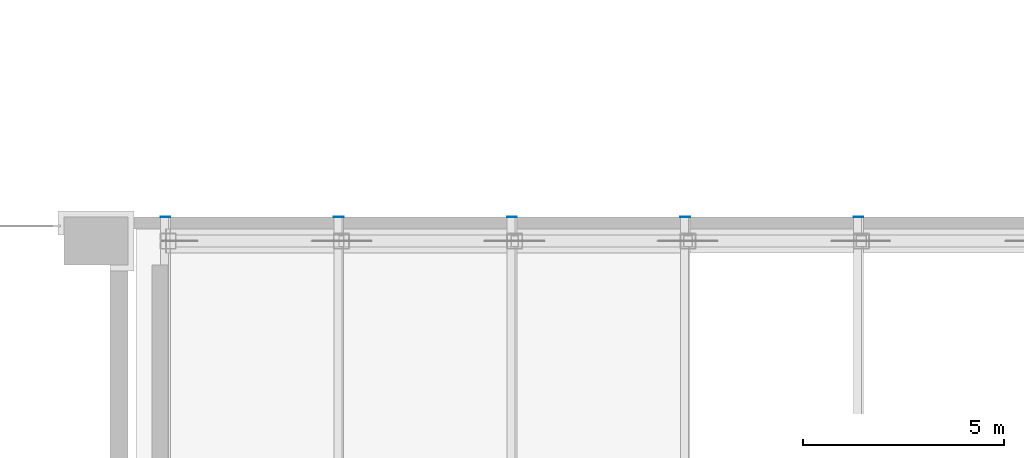
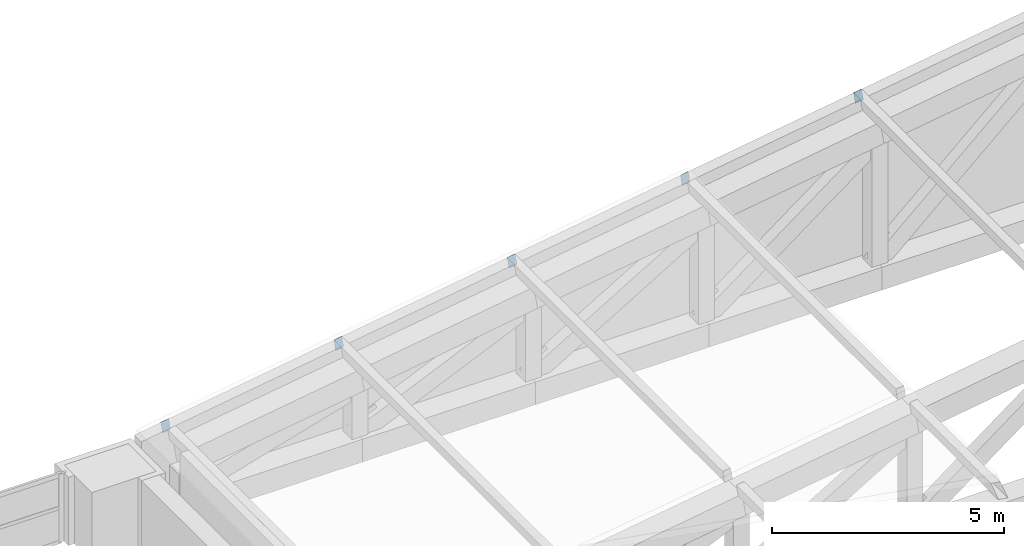
# One storey, part 26 of 32: 5 discrete accessories.
"""IFC4 building model written with IfcOpenShell, lengths in metres."""

import ifcopenshell
import ifcopenshell.guid

model = None  # the IFC model being written
_history = None  # IfcOwnerHistory: only IFC2X3 demands one
_inside = {}  # id of a spatial element -> (the spatial element, [elements in it])
_under = {}  # id of a project, library or spatial element -> (it, [spatial elements below it])
_declared = {}  # id of a project -> (the project, [libraries it declares])
_typed = {}  # id of a type object -> (the type object, [elements of that type])
_made_of = {}  # id of a material, layer set ... -> (it, [elements and type objects made of it])


def new_model(schema):
    """Start an empty IFC model of exactly this schema.

    Asked for "IFC4X3", IfcOpenShell would pick the latest addendum, in which some entities
    have other attributes; the version numbers below select the first issue.
    IFC2X3 requires an IfcOwnerHistory on every rooted entity: one is made here for all.
    """
    global model, _history
    if schema == "IFC4X3":
        model = ifcopenshell.file(schema_version=(4, 3, 0, 0))
    else:
        model = ifcopenshell.file(schema=schema)
    _inside.clear()
    _under.clear()
    _declared.clear()
    _typed.clear()
    _made_of.clear()
    _history = None
    if model.schema == "IFC2X3":
        org = make("IfcOrganization", Name="unknown")
        user = make(
            "IfcPersonAndOrganization",
            ThePerson=make("IfcPerson", FamilyName="unknown"),
            TheOrganization=org,
        )
        app = make(
            "IfcApplication",
            ApplicationDeveloper=org,
            Version="unknown",
            ApplicationFullName="unknown",
            ApplicationIdentifier="unknown",
        )
        _history = make(
            "IfcOwnerHistory",
            OwningUser=user,
            OwningApplication=app,
            ChangeAction="ADDED",
            CreationDate=0,
        )
    return model


def make(cls, **values):
    """One entity of the class cls with the attributes given. An attribute that is None is left unset."""
    return model.create_entity(
        cls, **{name: value for name, value in values.items() if value is not None}
    )


def rooted(cls, **values):
    """An entity with a GlobalId (a new one), such as an element, a storey or a relation."""
    return make(cls, GlobalId=ifcopenshell.guid.new(), OwnerHistory=_history, **values)


def si_unit(unit_type, name, prefix=None):
    """IfcSIUnit, for example si_unit("LENGTHUNIT", "METRE", prefix="MILLI")."""
    return make("IfcSIUnit", UnitType=unit_type, Prefix=prefix, Name=name)


def assignment(units):
    """IfcUnitAssignment: the units of a project."""
    return None if units is None else make("IfcUnitAssignment", Units=units)


def point(xyz):
    """IfcCartesianPoint."""
    return None if xyz is None else make("IfcCartesianPoint", Coordinates=xyz)


def direction(xyz):
    """IfcDirection."""
    return None if xyz is None else make("IfcDirection", DirectionRatios=xyz)


def frame(location, z_axis=None, x_axis=None):
    """IfcAxis2Placement3D, a coordinate frame: its origin and axes. An axis left out is left unset."""
    return make(
        "IfcAxis2Placement3D",
        Location=point(location),
        Axis=direction(z_axis),
        RefDirection=direction(x_axis),
    )


def origin():
    """The frame at (0, 0, 0) with its axes left unset."""
    return frame((0.0, 0.0, 0.0))


def place(relative_to, where):
    """IfcLocalPlacement: puts the frame where relative to a parent placement (None: the world)."""
    return make(
        "IfcLocalPlacement", PlacementRelTo=relative_to, RelativePlacement=where
    )


def context(
    kind, dimensions, precision=None, world=None, true_north=None, identifier=None
):
    """IfcGeometricRepresentationContext, for example the 3D "Model" context."""
    return make(
        "IfcGeometricRepresentationContext",
        ContextIdentifier=identifier,
        ContextType=kind,
        CoordinateSpaceDimension=dimensions,
        Precision=precision,
        WorldCoordinateSystem=world,
        TrueNorth=true_north,
    )


def subcontext(parent, identifier, kind, view, scale=None):
    """IfcGeometricRepresentationSubContext, for example "Body" below "Model"."""
    return make(
        "IfcGeometricRepresentationSubContext",
        ContextIdentifier=identifier,
        ContextType=kind,
        ParentContext=parent,
        TargetScale=scale,
        TargetView=view,
    )


def project(units=None, contexts=None):
    """IfcProject with its units and contexts."""
    return rooted(
        "IfcProject",
        Name="project",
        RepresentationContexts=contexts,
        UnitsInContext=assignment(units),
    )


def spatial(cls, under=None, at=None, **own):
    """A site, building, storey or space (cls), placed at a placement, below another one or the project."""
    s = rooted(cls, ObjectPlacement=at, **own)
    if under is not None:
        _under.setdefault(under.id(), (under, []))[1].append(s)
    return s


def polyline(points):
    """IfcPolyline through the points."""
    return make("IfcPolyline", Points=[point(p) for p in points])


def outline(outer, holes=None, kind="AREA"):
    """IfcArbitraryClosedProfileDef: a profile drawn as a closed curve; with holes, ...WithVoids."""
    if holes is None:
        return make("IfcArbitraryClosedProfileDef", ProfileType=kind, OuterCurve=outer)
    return make(
        "IfcArbitraryProfileDefWithVoids",
        ProfileType=kind,
        OuterCurve=outer,
        InnerCurves=holes,
    )


def extrude(swept, where, along, depth):
    """IfcExtrudedAreaSolid: the profile swept, set in the frame where, extruded along a direction by depth."""
    return make(
        "IfcExtrudedAreaSolid",
        SweptArea=swept,
        Position=where,
        ExtrudedDirection=direction(along),
        Depth=depth,
    )


def shape(context_of_items, identifier, shape_type, items):
    """IfcShapeRepresentation: the items that make up one representation, for example the "Body"."""
    return make(
        "IfcShapeRepresentation",
        ContextOfItems=context_of_items,
        RepresentationIdentifier=identifier,
        RepresentationType=shape_type,
        Items=items,
    )


def material(Name=None, Category=None):
    """IfcMaterial."""
    return make("IfcMaterial", Name=Name, Category=Category)


def layer(
    of_material, thickness, ventilated=None, Name=None, Category=None, Priority=None
):
    """IfcMaterialLayer: one layer of a wall or slab, of a material (None: an air gap)."""
    return make(
        "IfcMaterialLayer",
        Material=of_material,
        LayerThickness=thickness,
        IsVentilated=ventilated,
        Name=Name,
        Category=Category,
        Priority=Priority,
    )


def layer_set(layers, Name=None):
    """IfcMaterialLayerSet."""
    return make("IfcMaterialLayerSet", MaterialLayers=layers, LayerSetName=Name)


def made_of(thing, what):
    """Note that an element or type object is made of a material, layer set ...; save() writes the relation."""
    if what is not None:
        _made_of.setdefault(what.id(), (what, []))[1].append(thing)
    return thing


def type_object(cls, material=None, **own):
    """A type object (cls), such as IfcWallType, which elements share."""
    return made_of(rooted(cls, **own), material)


def element(
    cls,
    number,
    at=None,
    inside=None,
    cuts=None,
    type_object=None,
    material=None,
    context=None,
    identifier="Body",
    shape_type=None,
    held_by="IfcProductDefinitionShape",
    body=None,
    shapes=None,
    **own,
):
    """One element of the class cls, such as IfcWall. Its Tag is "e" and its number.

    at: its placement. inside: the storey or other place that contains it. cuts: it is an
    opening in that element (IfcRelVoidsElement). A single representation is given by context,
    identifier, shape_type and body (its items); several are given by shapes. held_by: the class
    of the entity that holds the representations. save() writes the other relations.
    """
    e = rooted(cls, Tag="e%d" % number, ObjectPlacement=at, **own)
    if body is not None:
        shapes = [shape(context, identifier, shape_type, body)]
    if shapes is not None:
        e.Representation = make(held_by, Representations=shapes)
    if inside is not None:
        _inside.setdefault(inside.id(), (inside, []))[1].append(e)
    if cuts is not None:
        rooted(
            "IfcRelVoidsElement", RelatingBuildingElement=cuts, RelatedOpeningElement=e
        )
    if type_object is not None:
        _typed.setdefault(type_object.id(), (type_object, []))[1].append(e)
    return made_of(e, material)


def aggregate(whole, parts):
    """IfcRelAggregates: a whole, such as a stair, and the parts it consists of."""
    return rooted("IfcRelAggregates", RelatingObject=whole, RelatedObjects=parts)


def save(model, path):
    """Write the relations noted so far, then the file.

    IfcRelAggregates (storeys below a building ...), IfcRelContainedInSpatialStructure (elements
    in a storey), IfcRelDefinesByType, IfcRelAssociatesMaterial and IfcRelDeclares: one each for
    every whole, place, type object, material and project.
    """
    for whole, parts in _under.values():
        aggregate(whole, parts)
    for where, things in _inside.values():
        rooted(
            "IfcRelContainedInSpatialStructure",
            RelatedElements=things,
            RelatingStructure=where,
        )
    for kind, things in _typed.values():
        rooted("IfcRelDefinesByType", RelatedObjects=things, RelatingType=kind)
    for what, things in _made_of.values():
        rooted("IfcRelAssociatesMaterial", RelatedObjects=things, RelatingMaterial=what)
    for by, libraries in _declared.values():
        rooted("IfcRelDeclares", RelatingContext=by, RelatedDefinitions=libraries)
    model.write(path)


model = new_model("IFC4")

# Units and contexts
model_context = context("Model", 3, precision=1e-05, world=origin(), true_north=direction((0.0, 1.0)))
body_context = subcontext(model_context, "Body", "Model", "MODEL_VIEW")
ifc_project = project(units=[si_unit("LENGTHUNIT", "METRE"), si_unit("AREAUNIT", "SQUARE_METRE"), si_unit("VOLUMEUNIT", "CUBIC_METRE"), si_unit("PLANEANGLEUNIT", "RADIAN"), si_unit("MASSUNIT", "GRAM", prefix="KILO")], contexts=[model_context])

# Site, building, storey
site_placement = place(None, origin())
site = spatial("IfcSite", under=ifc_project, at=site_placement, CompositionType="ELEMENT")
building_placement = place(site_placement, origin())
building = spatial("IfcBuilding", under=site, at=building_placement, Name="Aravalli Gate Trade Fair Centre", CompositionType="ELEMENT")
storey_placement = place(building_placement, frame((0.0, 0.0, 23.39990234375)))
storey = spatial("IfcBuildingStorey", under=building, at=storey_placement, Name="ROOF LEVEL 1", CompositionType="ELEMENT", Elevation=23.39990234375)

# Discrete accessories
ifc_material = material(Name="Steel E350", Category="steel")
ifc_layer = layer(ifc_material, 0.010009765625)
ifc_layer_set = layer_set([ifc_layer], Name="Steel E350")
discrete_accessory_type = type_object("IfcDiscreteAccessoryType", Name="End plate 200x300 x 10", PredefinedType="USERDEFINED", material=ifc_layer_set)
discrete_accessory_1_placement = place(storey_placement, frame((106.853515625, 109.610107421875, 1.811767578125), z_axis=(0.0, 1.0, 0.0), x_axis=(-0.988484290215, 0.0, -0.151323520971)))
element("IfcDiscreteAccessory", 1, at=discrete_accessory_1_placement, inside=storey, type_object=discrete_accessory_type, Name="End plate Roof purlin line 1 bay 5 end B", ObjectType="END CAP", PredefinedType="USERDEFINED", context=body_context, shape_type="SweptSolid", body=[
    extrude(outline(polyline([(0.0, 0.0), (0.2000577128110791, 0.0), (0.19981638363866344, 0.30004962499763155), (0.0, 0.30008656921661864), (0.0, 0.0)])), origin(), (0.0, 0.0, -1.0), 0.010009765625),
])
discrete_accessory_2_placement = place(storey_placement, frame((111.173583984375, 109.610107421875, 2.4716796875), z_axis=(0.0, 1.0, 0.0), x_axis=(-0.988484290215, 0.0, -0.151323520971)))
element("IfcDiscreteAccessory", 2, at=discrete_accessory_2_placement, inside=storey, type_object=discrete_accessory_type, Name="End plate Roof purlin line 2 bay 5 end B", ObjectType="END CAP", PredefinedType="USERDEFINED", context=body_context, shape_type="SweptSolid", body=[
    extrude(outline(polyline([(0.0, 0.0), (0.2000577128110791, 0.0), (0.2000577128110791, 0.30008656921661864), (0.0, 0.30008656921661864), (0.0, 0.0)])), origin(), (0.0, 0.0, -1.0), 0.010009765625),
])
discrete_accessory_3_placement = place(storey_placement, frame((115.493408203125, 109.610107421875, 3.131591796875), z_axis=(0.0, 1.0, 0.0), x_axis=(-0.988638584823, 0.0, -0.150312170498)))
element("IfcDiscreteAccessory", 3, at=discrete_accessory_3_placement, inside=storey, type_object=discrete_accessory_type, Name="End plate Roof purlin line 3 bay 5 end B", ObjectType="END CAP", PredefinedType="USERDEFINED", context=body_context, shape_type="SweptSolid", body=[
    extrude(outline(polyline([(0.0, 0.0), (0.19977954396796813, 3.469446951953614e-18), (0.20008654827008882, 0.3000864121758246), (6.563746012298866e-05, 0.300049714868574), (0.0, 0.0)])), origin(), (0.0, 0.0, -1.0), 0.010009765625),
])
discrete_accessory_4_placement = place(storey_placement, frame((119.8134765625, 109.610107421875, 3.791748046875), z_axis=(0.0, 1.0, 0.0), x_axis=(-0.988484290215, 0.0, -0.151323520971)))
element("IfcDiscreteAccessory", 4, at=discrete_accessory_4_placement, inside=storey, type_object=discrete_accessory_type, Name="End plate Roof purlin line 4 bay 5 end B", ObjectType="END CAP", PredefinedType="USERDEFINED", context=body_context, shape_type="SweptSolid", body=[
    extrude(outline(polyline([(0.0, 0.0), (0.2000577128110791, 0.0), (0.19981638363866344, 0.30004962499763155), (-0.0002413291724156566, 0.30004962499763155), (0.0, 0.0)])), origin(), (0.0, 0.0, -1.0), 0.010009765625),
])
discrete_accessory_5_placement = place(storey_placement, frame((124.133544921875, 109.610107421875, 4.45166015625), z_axis=(0.0, 1.0, 0.0), x_axis=(-0.988484290215, 0.0, -0.151323520971)))
element("IfcDiscreteAccessory", 5, at=discrete_accessory_5_placement, inside=storey, type_object=discrete_accessory_type, Name="End plate Roof purlin line 5 bay 5 end B", ObjectType="END CAP", PredefinedType="USERDEFINED", context=body_context, shape_type="SweptSolid", body=[
    extrude(outline(polyline([(0.0, 0.0), (0.2000577128110791, 0.0), (0.2000577128110791, 0.30008656921661864), (0.0, 0.30008656921661864), (0.0, 0.0)])), origin(), (0.0, 0.0, -1.0), 0.010009765625),
])

save(model, "model.ifc")
